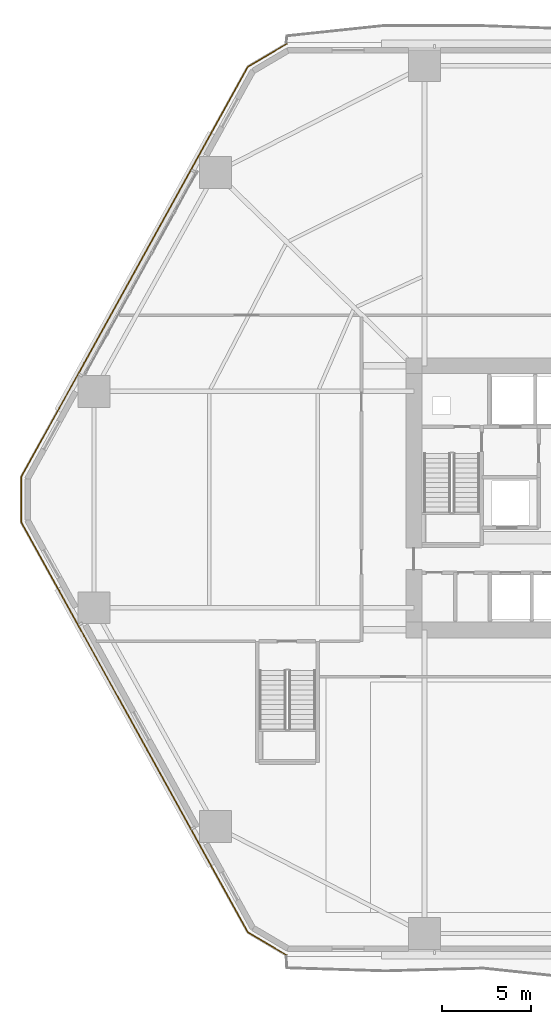
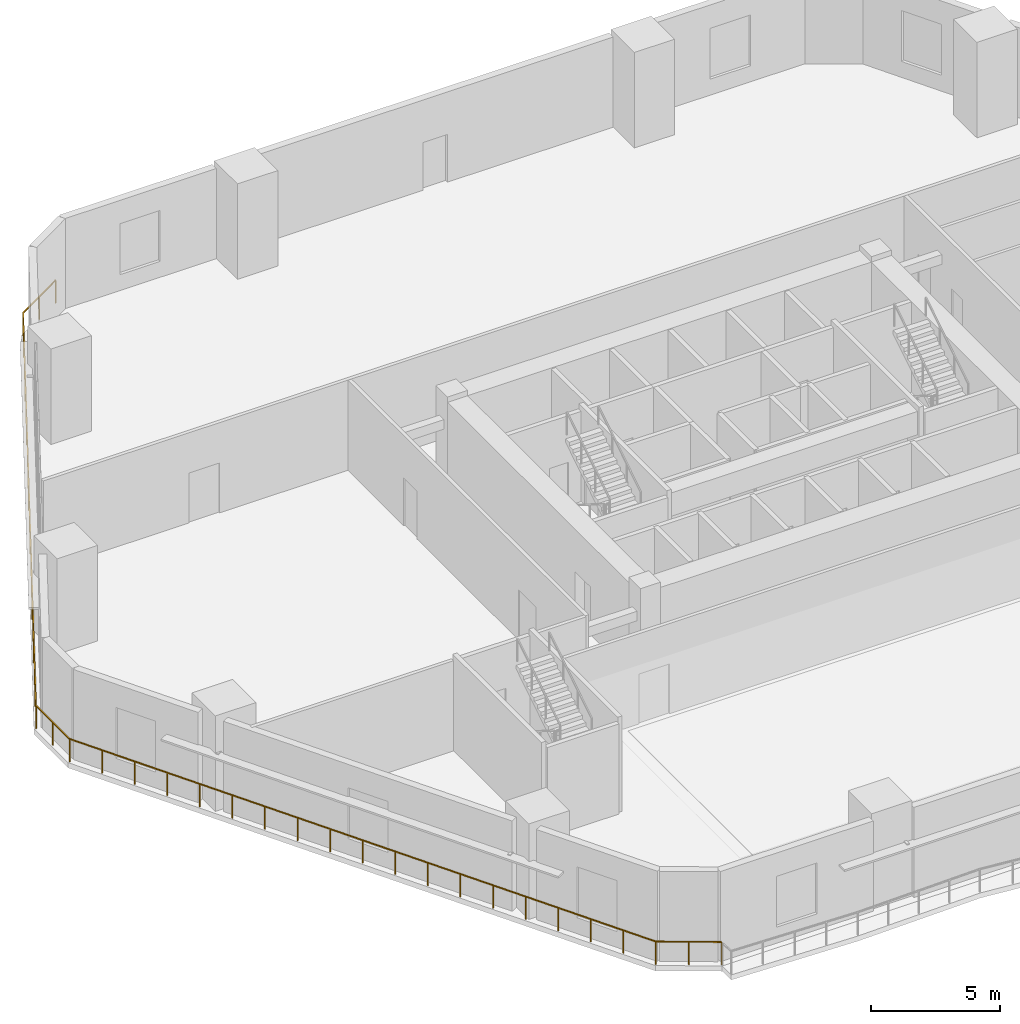
# One storey, part 18 of 21: 1 railing.
"""IFC4 building model written with IfcOpenShell, lengths in metres."""

import ifcopenshell
import ifcopenshell.guid

model = None  # the IFC model being written
_history = None  # IfcOwnerHistory: only IFC2X3 demands one
_inside = {}  # id of a spatial element -> (the spatial element, [elements in it])
_under = {}  # id of a project, library or spatial element -> (it, [spatial elements below it])
_declared = {}  # id of a project -> (the project, [libraries it declares])
_typed = {}  # id of a type object -> (the type object, [elements of that type])
_made_of = {}  # id of a material, layer set ... -> (it, [elements and type objects made of it])


def new_model(schema):
    """Start an empty IFC model of exactly this schema.

    Asked for "IFC4X3", IfcOpenShell would pick the latest addendum, in which some entities
    have other attributes; the version numbers below select the first issue.
    IFC2X3 requires an IfcOwnerHistory on every rooted entity: one is made here for all.
    """
    global model, _history
    if schema == "IFC4X3":
        model = ifcopenshell.file(schema_version=(4, 3, 0, 0))
    else:
        model = ifcopenshell.file(schema=schema)
    _inside.clear()
    _under.clear()
    _declared.clear()
    _typed.clear()
    _made_of.clear()
    _history = None
    if model.schema == "IFC2X3":
        org = make("IfcOrganization", Name="unknown")
        user = make(
            "IfcPersonAndOrganization",
            ThePerson=make("IfcPerson", FamilyName="unknown"),
            TheOrganization=org,
        )
        app = make(
            "IfcApplication",
            ApplicationDeveloper=org,
            Version="unknown",
            ApplicationFullName="unknown",
            ApplicationIdentifier="unknown",
        )
        _history = make(
            "IfcOwnerHistory",
            OwningUser=user,
            OwningApplication=app,
            ChangeAction="ADDED",
            CreationDate=0,
        )
    return model


def make(cls, **values):
    """One entity of the class cls with the attributes given. An attribute that is None is left unset."""
    return model.create_entity(
        cls, **{name: value for name, value in values.items() if value is not None}
    )


def rooted(cls, **values):
    """An entity with a GlobalId (a new one), such as an element, a storey or a relation."""
    return make(cls, GlobalId=ifcopenshell.guid.new(), OwnerHistory=_history, **values)


def si_unit(unit_type, name, prefix=None):
    """IfcSIUnit, for example si_unit("LENGTHUNIT", "METRE", prefix="MILLI")."""
    return make("IfcSIUnit", UnitType=unit_type, Prefix=prefix, Name=name)


def assignment(units):
    """IfcUnitAssignment: the units of a project."""
    return None if units is None else make("IfcUnitAssignment", Units=units)


def point(xyz):
    """IfcCartesianPoint."""
    return None if xyz is None else make("IfcCartesianPoint", Coordinates=xyz)


def direction(xyz):
    """IfcDirection."""
    return None if xyz is None else make("IfcDirection", DirectionRatios=xyz)


def frame(location, z_axis=None, x_axis=None):
    """IfcAxis2Placement3D, a coordinate frame: its origin and axes. An axis left out is left unset."""
    return make(
        "IfcAxis2Placement3D",
        Location=point(location),
        Axis=direction(z_axis),
        RefDirection=direction(x_axis),
    )


def frame_2d(location, x_axis=None):
    """IfcAxis2Placement2D, a coordinate frame in the plane: its origin and x axis."""
    return make(
        "IfcAxis2Placement2D", Location=point(location), RefDirection=direction(x_axis)
    )


def origin():
    """The frame at (0, 0, 0) with its axes left unset."""
    return frame((0.0, 0.0, 0.0))


def origin_2d():
    """The frame at (0, 0) in the plane with its x axis left unset."""
    return frame_2d((0.0, 0.0))


def place(relative_to, where):
    """IfcLocalPlacement: puts the frame where relative to a parent placement (None: the world)."""
    return make(
        "IfcLocalPlacement", PlacementRelTo=relative_to, RelativePlacement=where
    )


def context(
    kind, dimensions, precision=None, world=None, true_north=None, identifier=None
):
    """IfcGeometricRepresentationContext, for example the 3D "Model" context."""
    return make(
        "IfcGeometricRepresentationContext",
        ContextIdentifier=identifier,
        ContextType=kind,
        CoordinateSpaceDimension=dimensions,
        Precision=precision,
        WorldCoordinateSystem=world,
        TrueNorth=true_north,
    )


def subcontext(parent, identifier, kind, view, scale=None):
    """IfcGeometricRepresentationSubContext, for example "Body" below "Model"."""
    return make(
        "IfcGeometricRepresentationSubContext",
        ContextIdentifier=identifier,
        ContextType=kind,
        ParentContext=parent,
        TargetScale=scale,
        TargetView=view,
    )


def project(units=None, contexts=None):
    """IfcProject with its units and contexts."""
    return rooted(
        "IfcProject",
        Name="project",
        RepresentationContexts=contexts,
        UnitsInContext=assignment(units),
    )


def spatial(cls, under=None, at=None, **own):
    """A site, building, storey or space (cls), placed at a placement, below another one or the project."""
    s = rooted(cls, ObjectPlacement=at, **own)
    if under is not None:
        _under.setdefault(under.id(), (under, []))[1].append(s)
    return s


def profile(cls, at=None, kind="AREA", **sizes):
    """A parametric profile (cls). Its sizes go by their IFC names, for example OverallWidth=200.0."""
    return make(cls, ProfileType=kind, Position=at, **sizes)


def rectangle(**sizes):
    """IfcRectangleProfileDef."""
    return profile("IfcRectangleProfileDef", **sizes)


def extrude(swept, where, along, depth):
    """IfcExtrudedAreaSolid: the profile swept, set in the frame where, extruded along a direction by depth."""
    return make(
        "IfcExtrudedAreaSolid",
        SweptArea=swept,
        Position=where,
        ExtrudedDirection=direction(along),
        Depth=depth,
    )


def shape(context_of_items, identifier, shape_type, items):
    """IfcShapeRepresentation: the items that make up one representation, for example the "Body"."""
    return make(
        "IfcShapeRepresentation",
        ContextOfItems=context_of_items,
        RepresentationIdentifier=identifier,
        RepresentationType=shape_type,
        Items=items,
    )


def material(Name=None, Category=None):
    """IfcMaterial."""
    return make("IfcMaterial", Name=Name, Category=Category)


def made_of(thing, what):
    """Note that an element or type object is made of a material, layer set ...; save() writes the relation."""
    if what is not None:
        _made_of.setdefault(what.id(), (what, []))[1].append(thing)
    return thing


def type_object(cls, material=None, **own):
    """A type object (cls), such as IfcWallType, which elements share."""
    return made_of(rooted(cls, **own), material)


def element(
    cls,
    number,
    at=None,
    inside=None,
    cuts=None,
    type_object=None,
    material=None,
    context=None,
    identifier="Body",
    shape_type=None,
    held_by="IfcProductDefinitionShape",
    body=None,
    shapes=None,
    **own,
):
    """One element of the class cls, such as IfcWall. Its Tag is "e" and its number.

    at: its placement. inside: the storey or other place that contains it. cuts: it is an
    opening in that element (IfcRelVoidsElement). A single representation is given by context,
    identifier, shape_type and body (its items); several are given by shapes. held_by: the class
    of the entity that holds the representations. save() writes the other relations.
    """
    e = rooted(cls, Tag="e%d" % number, ObjectPlacement=at, **own)
    if body is not None:
        shapes = [shape(context, identifier, shape_type, body)]
    if shapes is not None:
        e.Representation = make(held_by, Representations=shapes)
    if inside is not None:
        _inside.setdefault(inside.id(), (inside, []))[1].append(e)
    if cuts is not None:
        rooted(
            "IfcRelVoidsElement", RelatingBuildingElement=cuts, RelatedOpeningElement=e
        )
    if type_object is not None:
        _typed.setdefault(type_object.id(), (type_object, []))[1].append(e)
    return made_of(e, material)


def aggregate(whole, parts):
    """IfcRelAggregates: a whole, such as a stair, and the parts it consists of."""
    return rooted("IfcRelAggregates", RelatingObject=whole, RelatedObjects=parts)


def save(model, path):
    """Write the relations noted so far, then the file.

    IfcRelAggregates (storeys below a building ...), IfcRelContainedInSpatialStructure (elements
    in a storey), IfcRelDefinesByType, IfcRelAssociatesMaterial and IfcRelDeclares: one each for
    every whole, place, type object, material and project.
    """
    for whole, parts in _under.values():
        aggregate(whole, parts)
    for where, things in _inside.values():
        rooted(
            "IfcRelContainedInSpatialStructure",
            RelatedElements=things,
            RelatingStructure=where,
        )
    for kind, things in _typed.values():
        rooted("IfcRelDefinesByType", RelatedObjects=things, RelatingType=kind)
    for what, things in _made_of.values():
        rooted("IfcRelAssociatesMaterial", RelatedObjects=things, RelatingMaterial=what)
    for by, libraries in _declared.values():
        rooted("IfcRelDeclares", RelatingContext=by, RelatedDefinitions=libraries)
    model.write(path)


model = new_model("IFC4")

# Units and contexts
model_context = context("Model", 3, precision=1e-05, world=origin(), true_north=direction((0.0, 1.0)))
body_context = subcontext(model_context, "Body", "Model", "MODEL_VIEW")
ifc_project = project(units=[si_unit("LENGTHUNIT", "METRE"), si_unit("AREAUNIT", "SQUARE_METRE"), si_unit("VOLUMEUNIT", "CUBIC_METRE"), si_unit("PLANEANGLEUNIT", "RADIAN"), si_unit("MASSUNIT", "GRAM", prefix="KILO")], contexts=[model_context])

# Site, building, storey
site_placement = place(None, origin())
site = spatial("IfcSite", under=ifc_project, at=site_placement, CompositionType="ELEMENT")
building_placement = place(site_placement, origin())
building = spatial("IfcBuilding", under=site, at=building_placement, Name="Cinnabar Lancet Tower", CompositionType="ELEMENT")
storey_placement = place(building_placement, frame((0.0, 0.0, 6.0)))
storey = spatial("IfcBuildingStorey", under=building, at=storey_placement, Name="L01", CompositionType="ELEMENT", Elevation=6.0)

# Railing
ifc_material = material(Name="Laminated safety glass and bronze stainless steel balustrade", Category="steel")
railing_type = type_object("IfcRailingType", Name="ENV-RLG-BAL-1100", PredefinedType="BALUSTRADE", material=ifc_material)
railing_placement = place(storey_placement, frame((15.778076171875, 51.52001953125, 0.0)))
element("IfcRailing", 1, at=railing_placement, inside=storey, type_object=railing_type, Name="L01 West Perimeter Overhang Edge Balustrade", PredefinedType="BALUSTRADE", context=body_context, shape_type="SweptSolid", body=[
    extrude(rectangle(XDim=0.048095703125, YDim=0.048095703125, at=origin_2d()), frame((0.0, 0.0, 1.076171875), z_axis=(-0.86125159245, -0.508178801705, 0.0), x_axis=(0.508178801705, -0.86125159245, 0.0)), (0.0, 0.0, 1.0), 2.54052734375),
    extrude(rectangle(XDim=0.048095703125, YDim=0.048095703125, at=origin_2d()), frame((-2.18798828125, -1.291015625, 1.076171875), z_axis=(-0.483655391037, -0.875258511938, 0.0), x_axis=(0.875258511938, -0.483655391037, 0.0)), (0.0, 0.0, 1.0), 26.434326171875),
    extrude(rectangle(XDim=0.048095703125, YDim=0.048095703125, at=origin_2d()), frame((-14.97314453125, -24.427978515625, 1.076171875), z_axis=(0.0, -1.0, 0.0), x_axis=(1.0, 0.0, 0.0)), (0.0, 0.0, 1.0), 2.583984375),
    extrude(rectangle(XDim=0.048095703125, YDim=0.048095703125, at=origin_2d()), frame((-14.97314453125, -27.011962890625, 1.076171875), z_axis=(0.483655391037, -0.875258511938, 0.0), x_axis=(0.875258511938, 0.483655391037, 0.0)), (0.0, 0.0, 1.0), 26.434326171875),
    extrude(rectangle(XDim=0.048095703125, YDim=0.048095703125, at=origin_2d()), frame((-2.18798828125, -50.14892578125, 1.076171875), z_axis=(0.86125159245, -0.508178801705, 0.0), x_axis=(0.508178801705, 0.86125159245, 0.0)), (0.0, 0.0, 1.0), 2.54052734375),
    extrude(rectangle(XDim=0.0419921875, YDim=0.0419921875, at=origin_2d()), origin(), (0.0, 0.0, 1.0), 1.052001953125),
    extrude(rectangle(XDim=0.0419921875, YDim=0.0419921875, at=origin_2d()), frame((-1.093994140625, -0.6455078125, 0.0)), (0.0, 0.0, 1.0), 1.052001953125),
    extrude(rectangle(XDim=0.0419921875, YDim=0.0419921875, at=origin_2d()), frame((-2.18798828125, -1.291015625, 0.0)), (0.0, 0.0, 1.0), 1.052001953125),
    extrude(rectangle(XDim=0.0419921875, YDim=0.0419921875, at=origin_2d()), frame((-2.898193359375, -2.576416015625, 0.0)), (0.0, 0.0, 1.0), 1.052001953125),
    extrude(rectangle(XDim=0.0419921875, YDim=0.0419921875, at=origin_2d()), frame((-3.608642578125, -3.86181640625, 0.0)), (0.0, 0.0, 1.0), 1.052001953125),
    extrude(rectangle(XDim=0.0419921875, YDim=0.0419921875, at=origin_2d()), frame((-4.31884765625, -5.147216796875, 0.0)), (0.0, 0.0, 1.0), 1.052001953125),
    extrude(rectangle(XDim=0.0419921875, YDim=0.0419921875, at=origin_2d()), frame((-5.029052734375, -6.4326171875, 0.0)), (0.0, 0.0, 1.0), 1.052001953125),
    extrude(rectangle(XDim=0.0419921875, YDim=0.0419921875, at=origin_2d()), frame((-5.739501953125, -7.718017578125, 0.0)), (0.0, 0.0, 1.0), 1.052001953125),
    extrude(rectangle(XDim=0.0419921875, YDim=0.0419921875, at=origin_2d()), frame((-6.44970703125, -9.00341796875, 0.0)), (0.0, 0.0, 1.0), 1.052001953125),
    extrude(rectangle(XDim=0.0419921875, YDim=0.0419921875, at=origin_2d()), frame((-7.159912109375, -10.288818359375, 0.0)), (0.0, 0.0, 1.0), 1.052001953125),
    extrude(rectangle(XDim=0.0419921875, YDim=0.0419921875, at=origin_2d()), frame((-7.870361328125, -11.57421875, 0.0)), (0.0, 0.0, 1.0), 1.052001953125),
    extrude(rectangle(XDim=0.0419921875, YDim=0.0419921875, at=origin_2d()), frame((-8.58056640625, -12.859375, 0.0)), (0.0, 0.0, 1.0), 1.052001953125),
    extrude(rectangle(XDim=0.0419921875, YDim=0.0419921875, at=origin_2d()), frame((-9.290771484375, -14.144775390625, 0.0)), (0.0, 0.0, 1.0), 1.052001953125),
    extrude(rectangle(XDim=0.0419921875, YDim=0.0419921875, at=origin_2d()), frame((-10.001220703125, -15.43017578125, 0.0)), (0.0, 0.0, 1.0), 1.052001953125),
    extrude(rectangle(XDim=0.0419921875, YDim=0.0419921875, at=origin_2d()), frame((-10.71142578125, -16.715576171875, 0.0)), (0.0, 0.0, 1.0), 1.052001953125),
    extrude(rectangle(XDim=0.0419921875, YDim=0.0419921875, at=origin_2d()), frame((-11.421630859375, -18.0009765625, 0.0)), (0.0, 0.0, 1.0), 1.052001953125),
    extrude(rectangle(XDim=0.0419921875, YDim=0.0419921875, at=origin_2d()), frame((-12.132080078125, -19.286376953125, 0.0)), (0.0, 0.0, 1.0), 1.052001953125),
    extrude(rectangle(XDim=0.0419921875, YDim=0.0419921875, at=origin_2d()), frame((-12.84228515625, -20.57177734375, 0.0)), (0.0, 0.0, 1.0), 1.052001953125),
    extrude(rectangle(XDim=0.0419921875, YDim=0.0419921875, at=origin_2d()), frame((-13.552490234375, -21.857177734375, 0.0)), (0.0, 0.0, 1.0), 1.052001953125),
    extrude(rectangle(XDim=0.0419921875, YDim=0.0419921875, at=origin_2d()), frame((-14.262939453125, -23.142578125, 0.0)), (0.0, 0.0, 1.0), 1.052001953125),
    extrude(rectangle(XDim=0.0419921875, YDim=0.0419921875, at=origin_2d()), frame((-14.97314453125, -24.427978515625, 0.0)), (0.0, 0.0, 1.0), 1.052001953125),
    extrude(rectangle(XDim=0.0419921875, YDim=0.0419921875, at=origin_2d()), frame((-14.97314453125, -25.719970703125, 0.0)), (0.0, 0.0, 1.0), 1.052001953125),
    extrude(rectangle(XDim=0.0419921875, YDim=0.0419921875, at=origin_2d()), frame((-14.97314453125, -27.011962890625, 0.0)), (0.0, 0.0, 1.0), 1.052001953125),
    extrude(rectangle(XDim=0.0419921875, YDim=0.0419921875, at=origin_2d()), frame((-14.262939453125, -28.29736328125, 0.0)), (0.0, 0.0, 1.0), 1.052001953125),
    extrude(rectangle(XDim=0.0419921875, YDim=0.0419921875, at=origin_2d()), frame((-13.552490234375, -29.582763671875, 0.0)), (0.0, 0.0, 1.0), 1.052001953125),
    extrude(rectangle(XDim=0.0419921875, YDim=0.0419921875, at=origin_2d()), frame((-12.84228515625, -30.8681640625, 0.0)), (0.0, 0.0, 1.0), 1.052001953125),
    extrude(rectangle(XDim=0.0419921875, YDim=0.0419921875, at=origin_2d()), frame((-12.132080078125, -32.153564453125, 0.0)), (0.0, 0.0, 1.0), 1.052001953125),
    extrude(rectangle(XDim=0.0419921875, YDim=0.0419921875, at=origin_2d()), frame((-11.421630859375, -33.43896484375, 0.0)), (0.0, 0.0, 1.0), 1.052001953125),
    extrude(rectangle(XDim=0.0419921875, YDim=0.0419921875, at=origin_2d()), frame((-10.71142578125, -34.724365234375, 0.0)), (0.0, 0.0, 1.0), 1.052001953125),
    extrude(rectangle(XDim=0.0419921875, YDim=0.0419921875, at=origin_2d()), frame((-10.001220703125, -36.009765625, 0.0)), (0.0, 0.0, 1.0), 1.052001953125),
    extrude(rectangle(XDim=0.0419921875, YDim=0.0419921875, at=origin_2d()), frame((-9.290771484375, -37.295166015625, 0.0)), (0.0, 0.0, 1.0), 1.052001953125),
    extrude(rectangle(XDim=0.0419921875, YDim=0.0419921875, at=origin_2d()), frame((-8.58056640625, -38.58056640625, 0.0)), (0.0, 0.0, 1.0), 1.052001953125),
    extrude(rectangle(XDim=0.0419921875, YDim=0.0419921875, at=origin_2d()), frame((-7.870361328125, -39.86572265625, 0.0)), (0.0, 0.0, 1.0), 1.052001953125),
    extrude(rectangle(XDim=0.0419921875, YDim=0.0419921875, at=origin_2d()), frame((-7.159912109375, -41.151123046875, 0.0)), (0.0, 0.0, 1.0), 1.052001953125),
    extrude(rectangle(XDim=0.0419921875, YDim=0.0419921875, at=origin_2d()), frame((-6.44970703125, -42.4365234375, 0.0)), (0.0, 0.0, 1.0), 1.052001953125),
    extrude(rectangle(XDim=0.0419921875, YDim=0.0419921875, at=origin_2d()), frame((-5.739501953125, -43.721923828125, 0.0)), (0.0, 0.0, 1.0), 1.052001953125),
    extrude(rectangle(XDim=0.0419921875, YDim=0.0419921875, at=origin_2d()), frame((-5.029052734375, -45.00732421875, 0.0)), (0.0, 0.0, 1.0), 1.052001953125),
    extrude(rectangle(XDim=0.0419921875, YDim=0.0419921875, at=origin_2d()), frame((-4.31884765625, -46.292724609375, 0.0)), (0.0, 0.0, 1.0), 1.052001953125),
    extrude(rectangle(XDim=0.0419921875, YDim=0.0419921875, at=origin_2d()), frame((-3.608642578125, -47.578125, 0.0)), (0.0, 0.0, 1.0), 1.052001953125),
    extrude(rectangle(XDim=0.0419921875, YDim=0.0419921875, at=origin_2d()), frame((-2.898193359375, -48.863525390625, 0.0)), (0.0, 0.0, 1.0), 1.052001953125),
    extrude(rectangle(XDim=0.0419921875, YDim=0.0419921875, at=origin_2d()), frame((-2.18798828125, -50.14892578125, 0.0)), (0.0, 0.0, 1.0), 1.052001953125),
    extrude(rectangle(XDim=0.0419921875, YDim=0.0419921875, at=origin_2d()), frame((-1.093994140625, -50.79443359375, 0.0)), (0.0, 0.0, 1.0), 1.052001953125),
    extrude(rectangle(XDim=0.0419921875, YDim=0.0419921875, at=origin_2d()), frame((0.0, -51.43994140625, 0.0)), (0.0, 0.0, 1.0), 1.052001953125),
])

save(model, "model.ifc")
